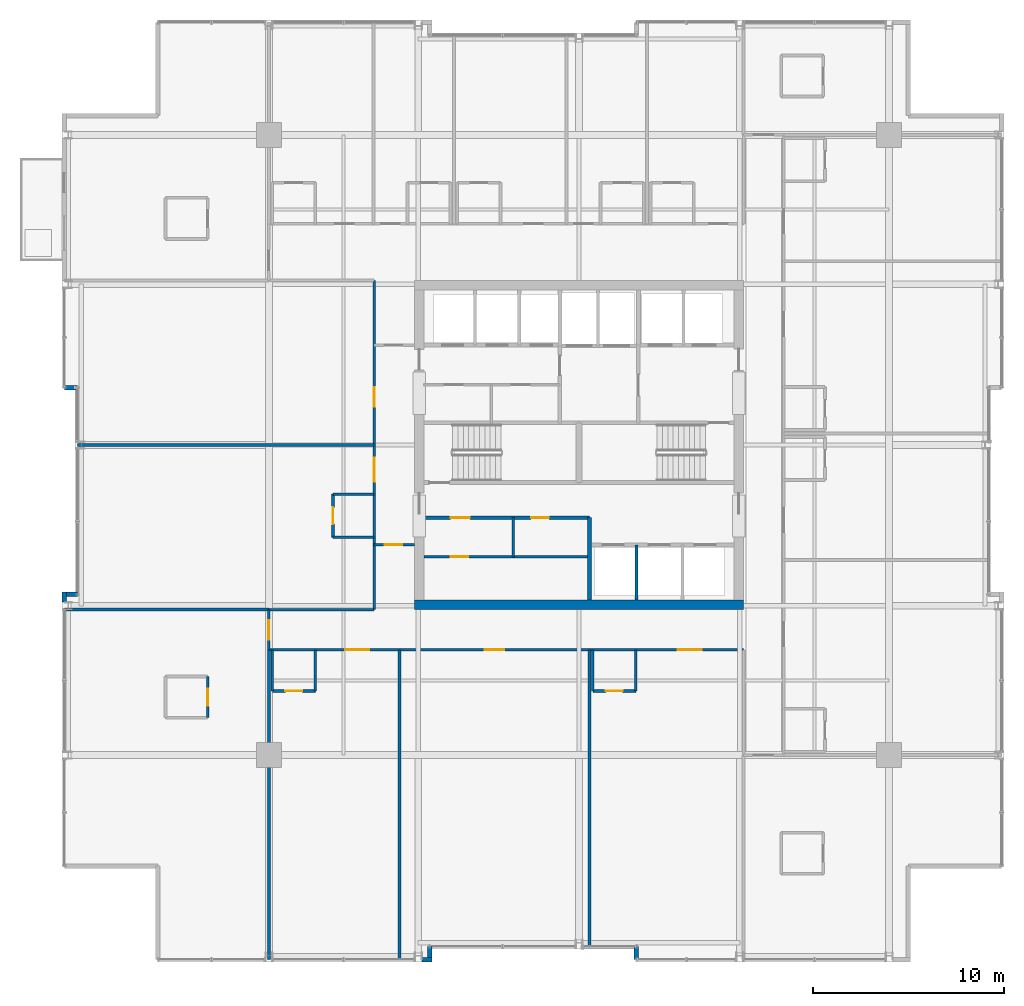
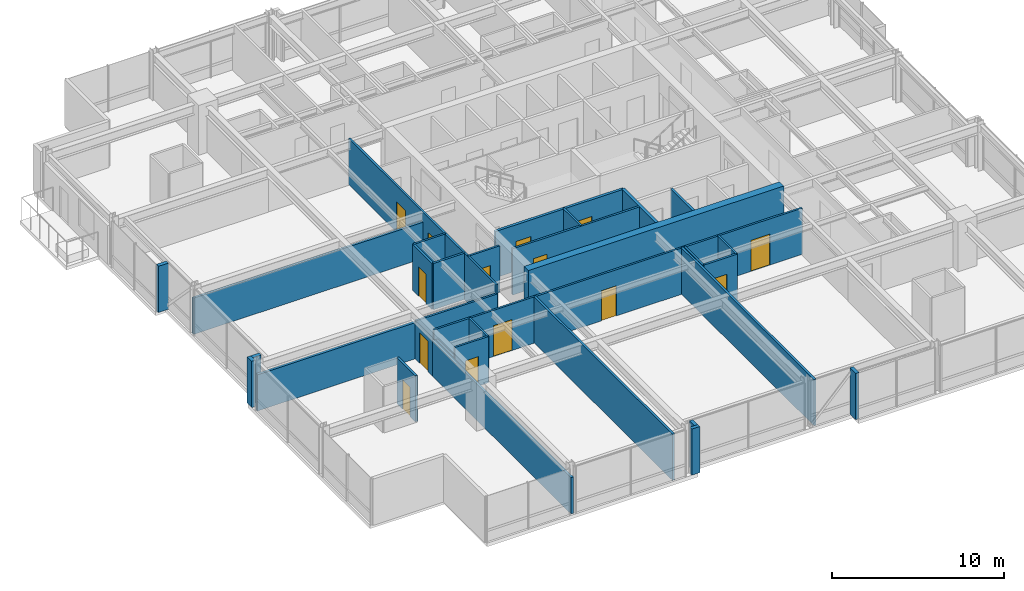
# One storey, part 25 of 32: 32 walls, 14 doors, 14 openings.
"""IFC4 building model written with IfcOpenShell, lengths in metres."""

from ifc_helpers import new_model, si_unit, direction, frame, frame_2d, origin, place, context, subcontext, project, spatial, rectangle, extrude, material, layer, layer_set, type_object, element, fill, save


model = new_model("IFC4")

# Units and contexts
model_context = context("Model", 3, precision=1e-05, world=origin(), true_north=direction((0.0, 1.0)))
body_context = subcontext(model_context, "Body", "Model", "MODEL_VIEW")
ifc_project = project(units=[si_unit("LENGTHUNIT", "METRE"), si_unit("AREAUNIT", "SQUARE_METRE"), si_unit("VOLUMEUNIT", "CUBIC_METRE"), si_unit("PLANEANGLEUNIT", "RADIAN"), si_unit("MASSUNIT", "GRAM", prefix="KILO")], contexts=[model_context])

# Site, building, storey
site_placement = place(None, origin())
site = spatial("IfcSite", under=ifc_project, at=site_placement, CompositionType="ELEMENT")
building_placement = place(site_placement, origin())
building = spatial("IfcBuilding", under=site, at=building_placement, Name="Drelvath Grand Hotel", CompositionType="ELEMENT")
storey_placement = place(building_placement, frame((0.0, 0.0, 182.35009765625)))
storey = spatial("IfcBuildingStorey", under=building, at=storey_placement, Name="L47", CompositionType="ELEMENT", Elevation=182.35009765625)

# Walls
ifc_material_1 = material(Name="Concrete C40/50", Category="concrete")
ifc_layer_1 = layer(ifc_material_1, 0.199951171875)
ifc_layer_set_1 = layer_set([ifc_layer_1], Name="Concrete C40/50")
wall_type_1 = type_object("IfcWallType", Name="Core Hoistway Fire Wall 200", PredefinedType="SOLIDWALL", material=ifc_layer_set_1)
wall_1_placement = place(storey_placement, frame((0.550048828125, 18.89990234375, 0.0), z_axis=(0.0, 0.0, 1.0), x_axis=(0.0, 1.0, 0.0)))
element("IfcWall", 1, at=wall_1_placement, inside=storey, type_object=wall_type_1, Name="L47 Bank 2 West Wall", PredefinedType="SOLIDWALL", context=body_context, shape_type="SweptSolid", body=[
    extrude(rectangle(XDim=4.300048828125, YDim=0.199951171875, at=frame_2d((2.14990234375, 0.0))), origin(), (0.0, 0.0, 1.0), 3.289794921875),
])
ifc_material_2 = material(Name="Gypsum Fireboard Partition")
ifc_layer_2 = layer(ifc_material_2, 0.1650390625)
ifc_layer_set_2 = layer_set([ifc_layer_2], Name="Gypsum Fireboard Partition")
wall_type_2 = type_object("IfcWallType", Name="Core Shaft Partition 165", PredefinedType="PARTITIONING", material=ifc_layer_set_2)
wall_2_placement = place(storey_placement, frame((3.0, 18.89990234375, 0.0), z_axis=(0.0, 0.0, 1.0), x_axis=(0.0, 1.0, 0.0)))
element("IfcWall", 2, at=wall_2_placement, inside=storey, type_object=wall_type_2, Name="L47 Lift PE-4/5 Divider", PredefinedType="PARTITIONING", context=body_context, shape_type="SweptSolid", body=[
    extrude(rectangle(XDim=2.880126953125, YDim=0.1650390625, at=frame_2d((1.43994140625, 0.0))), origin(), (0.0, 0.0, 1.0), 3.289794921875),
])

# Wall, opening, door
ifc_layer_3 = layer(ifc_material_2, 0.135009765625)
ifc_layer_set_3 = layer_set([ifc_layer_3], Name="Gypsum Fireboard Partition")
wall_type_3 = type_object("IfcWallType", Name="Corridor Fire Barrier Wall 135", PredefinedType="PARTITIONING", material=ifc_layer_set_3)
wall_3_placement = place(storey_placement, frame((-10.699951171875, 21.800048828125, 0.0), z_axis=(0.0, 0.0, 1.0), x_axis=(1.0, 0.0, 0.0)))
wall_3 = element("IfcWall", 3, at=wall_3_placement, inside=storey, type_object=wall_type_3, Name="L47 West Foyer South Wall", PredefinedType="PARTITIONING", context=body_context, shape_type="SweptSolid", body=[
    extrude(rectangle(XDim=2.099853515625, YDim=0.135009765625, at=frame_2d((1.0498046875, 0.0))), origin(), (0.0, 0.0, 1.0), 3.289794921875),
])
opening_1_placement = place(wall_3_placement, frame((0.550048828125, 0.0, 0.0)))
opening_1 = element("IfcOpeningElement", 4, at=opening_1_placement, cuts=wall_3, Name="Opening D-T3G4-024", PredefinedType="OPENING", context=body_context, shape_type="SweptSolid", body=[
    extrude(rectangle(XDim=0.919921875, YDim=2.10009765625, at=frame_2d((0.4599609375, 1.050048828125))), frame((0.0, 0.077392578125, 0.0), z_axis=(0.0, -1.0, 0.0), x_axis=(1.0, 0.0, 0.0)), (0.0, 0.0, 1.0), 0.155029296875),
])
ifc_material_3 = material(Name="Painted Steel S275", Category="steel")
door_type_1 = type_object("IfcDoorType", Name="Staff Utility Door 920x2100", OperationType="NOTDEFINED", PredefinedType="DOOR", material=ifc_material_3)
door_1_placement = place(opening_1_placement, origin())
door_1 = element("IfcDoor", 5, at=door_1_placement, inside=storey, type_object=door_type_1, Name="L47 West Linen Closet Door", OperationType="SINGLE_SWING_RIGHT", OverallHeight=2.10009765625, OverallWidth=0.919921875, PredefinedType="DOOR", context=body_context, shape_type="SweptSolid", body=[
    extrude(rectangle(XDim=0.919921875, YDim=2.10009765625, at=frame_2d((0.4599609375, 1.050048828125))), frame((0.0, 0.02490234375, 0.0), z_axis=(0.0, -1.0, 0.0), x_axis=(1.0, 0.0, 0.0)), (0.0, 0.0, 1.0), 0.050048828125),
])
fill(opening_1, door_1)

# Wall
wall_4_placement = place(storey_placement, frame((-16.199951171875, 18.39990234375, 0.0), z_axis=(0.0, 0.0, 1.0), x_axis=(1.0, 0.0, 0.0)))
element("IfcWall", 6, at=wall_4_placement, inside=storey, type_object=wall_type_3, Name="L47 SW Stub North Wall", PredefinedType="PARTITIONING", context=body_context, shape_type="SweptSolid", body=[
    extrude(rectangle(XDim=5.5, YDim=0.135009765625, at=frame_2d((2.75, 0.0))), origin(), (0.0, 0.0, 1.0), 2.667236328125),
])

# Wall, openings, doors
wall_5_placement = place(storey_placement, frame((-16.199951171875, 16.300048828125, 0.0), z_axis=(0.0, 0.0, 1.0), x_axis=(1.0, 0.0, 0.0)))
wall_5 = element("IfcWall", 7, at=wall_5_placement, inside=storey, type_object=wall_type_3, Name="L47 South Stub Corridor Wall", PredefinedType="PARTITIONING", context=body_context, shape_type="SweptSolid", body=[
    extrude(rectangle(XDim=24.800048828125, YDim=0.135009765625, at=frame_2d((12.39990234375, 0.0))), origin(), (0.0, 0.0, 1.0), 3.289794921875),
])
opening_2_placement = place(wall_5_placement, frame((3.9951171875, 0.0, 0.0)))
opening_2 = element("IfcOpeningElement", 8, at=opening_2_placement, cuts=wall_5, Name="Opening D-T3G4-035", PredefinedType="OPENING", context=body_context, shape_type="SweptSolid", body=[
    extrude(rectangle(XDim=1.260009765625, YDim=2.199951171875, at=frame_2d((0.6298828125, 1.10009765625))), frame((0.0, 0.077392578125, 0.0), z_axis=(0.0, -1.0, 0.0), x_axis=(1.0, 0.0, 0.0)), (0.0, 0.0, 1.0), 0.155029296875),
])
opening_3_placement = place(wall_5_placement, frame((11.27001953125, 0.0, 0.0)))
opening_3 = element("IfcOpeningElement", 9, at=opening_3_placement, cuts=wall_5, Name="Opening D-T3G4-036", PredefinedType="OPENING", context=body_context, shape_type="SweptSolid", body=[
    extrude(rectangle(XDim=1.02001953125, YDim=2.14990234375, at=frame_2d((0.510009765625, 1.074951171875))), frame((0.0, 0.077392578125, 0.0), z_axis=(0.0, -1.0, 0.0), x_axis=(1.0, 0.0, 0.0)), (0.0, 0.0, 1.0), 0.155029296875),
])
opening_4_placement = place(wall_5_placement, frame((21.35498046875, 0.0, 0.0)))
opening_4 = element("IfcOpeningElement", 10, at=opening_4_placement, cuts=wall_5, Name="Opening D-T3G4-038", PredefinedType="OPENING", context=body_context, shape_type="SweptSolid", body=[
    extrude(rectangle(XDim=1.260009765625, YDim=2.199951171875, at=frame_2d((0.6298828125, 1.10009765625))), frame((0.0, 0.077392578125, 0.0), z_axis=(0.0, -1.0, 0.0), x_axis=(1.0, 0.0, 0.0)), (0.0, 0.0, 1.0), 0.155029296875),
])
ifc_material_4 = material(Name="Hardwood Walnut Timber", Category="wood")
door_type_2 = type_object("IfcDoorType", Name="Amenity Meeting Fire Door 1020x2150", OperationType="NOTDEFINED", PredefinedType="DOOR", material=ifc_material_4)
door_2_placement = place(opening_3_placement, origin())
door_2 = element("IfcDoor", 11, at=door_2_placement, inside=storey, type_object=door_type_2, Name="L47 Conference Room Entry Door", OperationType="SINGLE_SWING_RIGHT", OverallHeight=2.14990234375, OverallWidth=1.02001953125, PredefinedType="DOOR", context=body_context, shape_type="SweptSolid", body=[
    extrude(rectangle(XDim=1.02001953125, YDim=2.14990234375, at=frame_2d((0.510009765625, 1.074951171875))), frame((0.0, 0.02490234375, 0.0), z_axis=(0.0, -1.0, 0.0), x_axis=(1.0, 0.0, 0.0)), (0.0, 0.0, 1.0), 0.050048828125),
])
fill(opening_3, door_2)
door_type_3 = type_object("IfcDoorType", Name="Suite Entrance Fire Door 1260x2200", OperationType="NOTDEFINED", PredefinedType="DOOR", material=ifc_material_4)
door_3_placement = place(opening_2_placement, origin())
door_3 = element("IfcDoor", 12, at=door_3_placement, inside=storey, type_object=door_type_3, Name="L47 Executive Suite Entry Door", OperationType="SINGLE_SWING_LEFT", OverallHeight=2.199951171875, OverallWidth=1.260009765625, PredefinedType="DOOR", context=body_context, shape_type="SweptSolid", body=[
    extrude(rectangle(XDim=1.260009765625, YDim=2.199951171875, at=frame_2d((0.6298828125, 1.10009765625))), frame((0.0, 0.02490234375, 0.0), z_axis=(0.0, -1.0, 0.0), x_axis=(1.0, 0.0, 0.0)), (0.0, 0.0, 1.0), 0.050048828125),
])
fill(opening_2, door_3)
door_4_placement = place(opening_4_placement, origin())
door_4 = element("IfcDoor", 13, at=door_4_placement, inside=storey, type_object=door_type_3, Name="L47 Executive Suite Entry Door", OperationType="SINGLE_SWING_RIGHT", OverallHeight=2.199951171875, OverallWidth=1.260009765625, PredefinedType="DOOR", context=body_context, shape_type="SweptSolid", body=[
    extrude(rectangle(XDim=1.260009765625, YDim=2.199951171875, at=frame_2d((0.6298828125, 1.10009765625))), frame((0.0, 0.02490234375, 0.0), z_axis=(0.0, -1.0, 0.0), x_axis=(1.0, 0.0, 0.0)), (0.0, 0.0, 1.0), 0.050048828125),
])
fill(opening_4, door_4)

wall_6_placement = place(storey_placement, frame((-10.699951171875, 18.39990234375, 0.0), z_axis=(0.0, 0.0, 1.0), x_axis=(0.0, 1.0, 0.0)))
wall_6 = element("IfcWall", 14, at=wall_6_placement, inside=storey, type_object=wall_type_3, Name="L47 West Spine Wall", PredefinedType="PARTITIONING", context=body_context, shape_type="SweptSolid", body=[
    extrude(rectangle(XDim=17.2001953125, YDim=0.135009765625, at=frame_2d((8.60009765625, 0.0))), origin(), (0.0, 0.0, 1.0), 3.289794921875),
])
opening_5_placement = place(wall_6_placement, frame((6.68505859375, 0.0, 0.0)))
opening_5 = element("IfcOpeningElement", 15, at=opening_5_placement, cuts=wall_6, Name="Opening D-T3G4-058", PredefinedType="OPENING", context=body_context, shape_type="SweptSolid", body=[
    extrude(rectangle(XDim=1.260009765625, YDim=2.199951171875, at=frame_2d((0.6298828125, 1.10009765625))), frame((0.0, 0.077392578125, 0.0), z_axis=(0.0, -1.0, 0.0), x_axis=(1.0, 0.0, 0.0)), (0.0, 0.0, 1.0), 0.155029296875),
])
opening_6_placement = place(wall_6_placement, frame((10.590087890625, 0.0, 0.0)))
opening_6 = element("IfcOpeningElement", 16, at=opening_6_placement, cuts=wall_6, Name="Opening D-T3G4-059", PredefinedType="OPENING", context=body_context, shape_type="SweptSolid", body=[
    extrude(rectangle(XDim=1.02001953125, YDim=2.14990234375, at=frame_2d((0.510009765625, 1.074951171875))), frame((0.0, 0.077392578125, 0.0), z_axis=(0.0, -1.0, 0.0), x_axis=(1.0, 0.0, 0.0)), (0.0, 0.0, 1.0), 0.155029296875),
])
door_5_placement = place(opening_6_placement, origin())
door_5 = element("IfcDoor", 17, at=door_5_placement, inside=storey, type_object=door_type_2, Name="L47 Fitness Movement Studio Entry Door", OperationType="SINGLE_SWING_LEFT", OverallHeight=2.14990234375, OverallWidth=1.02001953125, PredefinedType="DOOR", context=body_context, shape_type="SweptSolid", body=[
    extrude(rectangle(XDim=1.02001953125, YDim=2.14990234375, at=frame_2d((0.510009765625, 1.074951171875))), frame((0.0, 0.02490234375, 0.0), z_axis=(0.0, -1.0, 0.0), x_axis=(1.0, 0.0, 0.0)), (0.0, 0.0, 1.0), 0.050048828125),
])
fill(opening_6, door_5)
door_6_placement = place(opening_5_placement, origin())
door_6 = element("IfcDoor", 18, at=door_6_placement, inside=storey, type_object=door_type_3, Name="L47 Executive Suite Entry Door", OperationType="SINGLE_SWING_RIGHT", OverallHeight=2.199951171875, OverallWidth=1.260009765625, PredefinedType="DOOR", context=body_context, shape_type="SweptSolid", body=[
    extrude(rectangle(XDim=1.260009765625, YDim=2.199951171875, at=frame_2d((0.6298828125, 1.10009765625))), frame((0.0, 0.02490234375, 0.0), z_axis=(0.0, -1.0, 0.0), x_axis=(1.0, 0.0, 0.0)), (0.0, 0.0, 1.0), 0.050048828125),
])
fill(opening_5, door_6)

# Wall, opening, door
wall_7_placement = place(storey_placement, frame((-16.199951171875, 16.300048828125, 0.0), z_axis=(0.0, 0.0, 1.0), x_axis=(0.0, 1.0, 0.0)))
wall_7 = element("IfcWall", 19, at=wall_7_placement, inside=storey, type_object=wall_type_3, Name="L47 South Stub West End", PredefinedType="PARTITIONING", context=body_context, shape_type="SweptSolid", body=[
    extrude(rectangle(XDim=2.099853515625, YDim=0.135009765625, at=frame_2d((1.0498046875, 0.0))), origin(), (0.0, 0.0, 1.0), 2.579345703125),
])
opening_7_placement = place(wall_7_placement, frame((0.52001953125, 0.0, 0.0)))
opening_7 = element("IfcOpeningElement", 20, at=opening_7_placement, cuts=wall_7, Name="Opening D-T3G4-027", PredefinedType="OPENING", context=body_context, shape_type="SweptSolid", body=[
    extrude(rectangle(XDim=1.02001953125, YDim=2.14990234375, at=frame_2d((0.510009765625, 1.074951171875))), frame((0.0, 0.077392578125, 0.0), z_axis=(0.0, -1.0, 0.0), x_axis=(1.0, 0.0, 0.0)), (0.0, 0.0, 1.0), 0.155029296875),
])
door_7_placement = place(opening_7_placement, origin())
door_7 = element("IfcDoor", 21, at=door_7_placement, inside=storey, type_object=door_type_2, Name="L47 Executive Suite Entry Door", OperationType="SINGLE_SWING_LEFT", OverallHeight=2.14990234375, OverallWidth=1.02001953125, PredefinedType="DOOR", context=body_context, shape_type="SweptSolid", body=[
    extrude(rectangle(XDim=1.02001953125, YDim=2.14990234375, at=frame_2d((0.510009765625, 1.074951171875))), frame((0.0, 0.02490234375, 0.0), z_axis=(0.0, -1.0, 0.0), x_axis=(1.0, 0.0, 0.0)), (0.0, 0.0, 1.0), 0.050048828125),
])
fill(opening_7, door_7)

ifc_material_5 = material(Name="Moisture-Resistant Gypsum Board")
ifc_layer_4 = layer(ifc_material_5, 0.139892578125)
ifc_layer_set_4 = layer_set([ifc_layer_4], Name="Moisture-Resistant Gypsum Board")
wall_type_4 = type_object("IfcWallType", Name="En-Suite Plumbing Wall 140", PredefinedType="PLUMBINGWALL", material=ifc_layer_set_4)
wall_8_placement = place(storey_placement, frame((-8.10009765625, 21.159912109375, 0.0), z_axis=(0.0, 0.0, 1.0), x_axis=(1.0, 0.0, 0.0)))
wall_8 = element("IfcWall", 22, at=wall_8_placement, inside=storey, type_object=wall_type_4, Name="L47 Reclaimed Horizontal Wall", PredefinedType="PLUMBINGWALL", context=body_context, shape_type="SweptSolid", body=[
    extrude(rectangle(XDim=8.650146484375, YDim=0.139892578125, at=frame_2d((4.3251953125, 0.0))), origin(), (0.0, 0.0, 1.0), 3.289794921875),
])
opening_8_placement = place(wall_8_placement, frame((1.39990234375, 0.0, 0.0)))
opening_8 = element("IfcOpeningElement", 23, at=opening_8_placement, cuts=wall_8, Name="Opening D-T3G4-023", PredefinedType="OPENING", context=body_context, shape_type="SweptSolid", body=[
    extrude(rectangle(XDim=0.919921875, YDim=2.10009765625, at=frame_2d((0.4599609375, 1.050048828125))), frame((0.0, 0.079833984375, 0.0), z_axis=(0.0, -1.0, 0.0), x_axis=(1.0, 0.0, 0.0)), (0.0, 0.0, 1.0), 0.159912109375),
])
door_8_placement = place(opening_8_placement, origin())
door_8 = element("IfcDoor", 24, at=door_8_placement, inside=storey, type_object=door_type_1, Name="L47 Housekeeping Inner Door", OperationType="SINGLE_SWING_LEFT", OverallHeight=2.10009765625, OverallWidth=0.919921875, PredefinedType="DOOR", context=body_context, shape_type="SweptSolid", body=[
    extrude(rectangle(XDim=0.919921875, YDim=2.10009765625, at=frame_2d((0.4599609375, 1.050048828125))), frame((0.0, 0.02490234375, 0.0), z_axis=(0.0, -1.0, 0.0), x_axis=(1.0, 0.0, 0.0)), (0.0, 0.0, 1.0), 0.050048828125),
])
fill(opening_8, door_8)

# Wall
wall_9_placement = place(storey_placement, frame((-3.43994140625, 21.159912109375, 0.0), z_axis=(0.0, 0.0, 1.0), x_axis=(0.0, 1.0, 0.0)))
element("IfcWall", 25, at=wall_9_placement, inside=storey, type_object=wall_type_4, Name="L47 Staff WC Wall", PredefinedType="PLUMBINGWALL", context=body_context, shape_type="SweptSolid", body=[
    extrude(rectangle(XDim=2.0400390625, YDim=0.139892578125, at=frame_2d((1.02001953125, 0.0))), origin(), (0.0, 0.0, 1.0), 3.289794921875),
])

# Wall, opening, door
wall_10_placement = place(storey_placement, frame((-19.39990234375, 12.760009765625, 0.0), z_axis=(0.0, 0.0, 1.0), x_axis=(0.0, 1.0, 0.0)))
wall_10 = element("IfcWall", 26, at=wall_10_placement, inside=storey, type_object=wall_type_4, Name="L47 Corner En-Suite East", PredefinedType="PLUMBINGWALL", context=body_context, shape_type="SweptSolid", body=[
    extrude(rectangle(XDim=2.14990234375, YDim=0.139892578125, at=frame_2d((1.074951171875, 0.0))), origin(), (0.0, 0.0, 1.0), 3.289794921875),
])
opening_9_placement = place(wall_10_placement, frame((0.6201171875, 0.0, 0.0)))
opening_9 = element("IfcOpeningElement", 27, at=opening_9_placement, cuts=wall_10, Name="Opening D-T3G4-026", PredefinedType="OPENING", context=body_context, shape_type="SweptSolid", body=[
    extrude(rectangle(XDim=0.8798828125, YDim=2.10009765625, at=frame_2d((0.43994140625, 1.050048828125))), frame((0.0, 0.079833984375, 0.0), z_axis=(0.0, -1.0, 0.0), x_axis=(1.0, 0.0, 0.0)), (0.0, 0.0, 1.0), 0.159912109375),
])
door_type_4 = type_object("IfcDoorType", Name="En-Suite Bathroom Door 880x2100", OperationType="NOTDEFINED", PredefinedType="DOOR", material=ifc_material_4)
door_9_placement = place(opening_9_placement, origin())
door_9 = element("IfcDoor", 28, at=door_9_placement, inside=storey, type_object=door_type_4, Name="L47 Corner En-Suite Door", OperationType="SINGLE_SWING_RIGHT", OverallHeight=2.10009765625, OverallWidth=0.8798828125, PredefinedType="DOOR", context=body_context, shape_type="SweptSolid", body=[
    extrude(rectangle(XDim=0.8798828125, YDim=2.10009765625, at=frame_2d((0.43994140625, 1.050048828125))), frame((0.0, 0.02490234375, 0.0), z_axis=(0.0, -1.0, 0.0), x_axis=(1.0, 0.0, 0.0)), (0.0, 0.0, 1.0), 0.050048828125),
])
fill(opening_9, door_9)

# Walls
wall_11_placement = place(storey_placement, frame((-16.02001953125, 16.300048828125, 0.0), z_axis=(0.0, 0.0, 1.0), x_axis=(0.0, -1.0, 0.0)))
element("IfcWall", 29, at=wall_11_placement, inside=storey, type_object=wall_type_4, Name="L47 En-Suite Left Wall", PredefinedType="PLUMBINGWALL", context=body_context, shape_type="SweptSolid", body=[
    extrude(rectangle(XDim=2.150146484375, YDim=0.139892578125, at=frame_2d((1.0751953125, 0.0))), origin(), (0.0, 0.0, 1.0), 2.579345703125),
])
wall_12_placement = place(storey_placement, frame((-13.77001953125, 16.300048828125, 0.0), z_axis=(0.0, 0.0, 1.0), x_axis=(0.0, -1.0, 0.0)))
element("IfcWall", 30, at=wall_12_placement, inside=storey, type_object=wall_type_4, Name="L47 En-Suite Right Wall", PredefinedType="PLUMBINGWALL", context=body_context, shape_type="SweptSolid", body=[
    extrude(rectangle(XDim=2.150146484375, YDim=0.139892578125, at=frame_2d((1.0751953125, 0.0))), origin(), (0.0, 0.0, 1.0), 3.289794921875),
])

# Wall, opening, door
wall_13_placement = place(storey_placement, frame((-16.02001953125, 14.14990234375, 0.0), z_axis=(0.0, 0.0, 1.0), x_axis=(1.0, 0.0, 0.0)))
wall_13 = element("IfcWall", 31, at=wall_13_placement, inside=storey, type_object=wall_type_4, Name="L47 En-Suite Front Wall", PredefinedType="PLUMBINGWALL", context=body_context, shape_type="SweptSolid", body=[
    extrude(rectangle(XDim=2.25, YDim=0.139892578125, at=frame_2d((1.125, 0.0))), origin(), (0.0, 0.0, 1.0), 3.289794921875),
])
opening_10_placement = place(wall_13_placement, frame((0.68505859375, 0.0, 0.0)))
opening_10 = element("IfcOpeningElement", 32, at=opening_10_placement, cuts=wall_13, Name="Opening D-T3G4-034", PredefinedType="OPENING", context=body_context, shape_type="SweptSolid", body=[
    extrude(rectangle(XDim=0.8798828125, YDim=2.10009765625, at=frame_2d((0.43994140625, 1.050048828125))), frame((0.0, 0.079833984375, 0.0), z_axis=(0.0, -1.0, 0.0), x_axis=(1.0, 0.0, 0.0)), (0.0, 0.0, 1.0), 0.159912109375),
])
door_10_placement = place(opening_10_placement, origin())
door_10 = element("IfcDoor", 33, at=door_10_placement, inside=storey, type_object=door_type_4, Name="L47 En-Suite Bathroom Door", OperationType="SINGLE_SWING_RIGHT", OverallHeight=2.10009765625, OverallWidth=0.8798828125, PredefinedType="DOOR", context=body_context, shape_type="SweptSolid", body=[
    extrude(rectangle(XDim=0.8798828125, YDim=2.10009765625, at=frame_2d((0.43994140625, 1.050048828125))), frame((0.0, 0.02490234375, 0.0), z_axis=(0.0, -1.0, 0.0), x_axis=(1.0, 0.0, 0.0)), (0.0, 0.0, 1.0), 0.050048828125),
])
fill(opening_10, door_10)

# Walls
for number, where, z_axis, x_axis, name in (
    (34, (0.719970703125, 16.300048828125, 0.0), (0.0, 0.0, 1.0), (0.0, -1.0, 0.0), "L47 En-Suite Left Wall"),
    (35, (2.969970703125, 16.300048828125, 0.0), (0.0, 0.0, 1.0), (0.0, -1.0, 0.0), "L47 En-Suite Right Wall"),
):
    element("IfcWall", number, at=place(storey_placement, frame(where, z_axis=z_axis, x_axis=x_axis)), inside=storey, type_object=wall_type_4, Name=name, PredefinedType="PLUMBINGWALL", context=body_context, shape_type="SweptSolid", body=[
        extrude(rectangle(XDim=2.150146484375, YDim=0.139892578125, at=frame_2d((1.0751953125, 0.0))), origin(), (0.0, 0.0, 1.0), 3.289794921875),
    ])

# Wall, opening, door
wall_14_placement = place(storey_placement, frame((0.719970703125, 14.14990234375, 0.0), z_axis=(0.0, 0.0, 1.0), x_axis=(1.0, 0.0, 0.0)))
wall_14 = element("IfcWall", 36, at=wall_14_placement, inside=storey, type_object=wall_type_4, Name="L47 En-Suite Front Wall", PredefinedType="PLUMBINGWALL", context=body_context, shape_type="SweptSolid", body=[
    extrude(rectangle(XDim=2.25, YDim=0.139892578125, at=frame_2d((1.125, 0.0))), origin(), (0.0, 0.0, 1.0), 3.289794921875),
])
opening_11_placement = place(wall_14_placement, frame((0.68505859375, 0.0, 0.0)))
opening_11 = element("IfcOpeningElement", 37, at=opening_11_placement, cuts=wall_14, Name="Opening D-T3G4-037", PredefinedType="OPENING", context=body_context, shape_type="SweptSolid", body=[
    extrude(rectangle(XDim=0.8798828125, YDim=2.10009765625, at=frame_2d((0.43994140625, 1.050048828125))), frame((0.0, 0.079833984375, 0.0), z_axis=(0.0, -1.0, 0.0), x_axis=(1.0, 0.0, 0.0)), (0.0, 0.0, 1.0), 0.159912109375),
])
door_11_placement = place(opening_11_placement, origin())
door_11 = element("IfcDoor", 38, at=door_11_placement, inside=storey, type_object=door_type_4, Name="L47 En-Suite Bathroom Door", OperationType="SINGLE_SWING_LEFT", OverallHeight=2.10009765625, OverallWidth=0.8798828125, PredefinedType="DOOR", context=body_context, shape_type="SweptSolid", body=[
    extrude(rectangle(XDim=0.8798828125, YDim=2.10009765625, at=frame_2d((0.43994140625, 1.050048828125))), frame((0.0, 0.02490234375, 0.0), z_axis=(0.0, -1.0, 0.0), x_axis=(1.0, 0.0, 0.0)), (0.0, 0.0, 1.0), 0.050048828125),
])
fill(opening_11, door_11)

# Walls
for number, where, z_axis, x_axis, name in (
    (39, (-10.699951171875, 22.179931640625, 0.0), (0.0, 0.0, 1.0), (-1.0, 0.0, 0.0), "L47 En-Suite Left Wall"),
    (40, (-10.699951171875, 24.429931640625, 0.0), (0.0, 0.0, 1.0), (-1.0, 0.0, 0.0), "L47 En-Suite Right Wall"),
):
    element("IfcWall", number, at=place(storey_placement, frame(where, z_axis=z_axis, x_axis=x_axis)), inside=storey, type_object=wall_type_4, Name=name, PredefinedType="PLUMBINGWALL", context=body_context, shape_type="SweptSolid", body=[
        extrude(rectangle(XDim=2.150146484375, YDim=0.139892578125, at=frame_2d((1.0751953125, 0.0))), origin(), (0.0, 0.0, 1.0), 3.289794921875),
    ])

# Wall, opening, door
wall_15_placement = place(storey_placement, frame((-12.85009765625, 22.179931640625, 0.0), z_axis=(0.0, 0.0, 1.0), x_axis=(0.0, 1.0, 0.0)))
wall_15 = element("IfcWall", 41, at=wall_15_placement, inside=storey, type_object=wall_type_4, Name="L47 En-Suite Front Wall", PredefinedType="PLUMBINGWALL", context=body_context, shape_type="SweptSolid", body=[
    extrude(rectangle(XDim=2.25, YDim=0.139892578125, at=frame_2d((1.125, 0.0))), origin(), (0.0, 0.0, 1.0), 3.289794921875),
])
opening_12_placement = place(wall_15_placement, frame((0.68505859375, 0.0, 0.0)))
opening_12 = element("IfcOpeningElement", 42, at=opening_12_placement, cuts=wall_15, Name="Opening D-T3G4-057", PredefinedType="OPENING", context=body_context, shape_type="SweptSolid", body=[
    extrude(rectangle(XDim=0.8798828125, YDim=2.10009765625, at=frame_2d((0.43994140625, 1.050048828125))), frame((0.0, 0.079833984375, 0.0), z_axis=(0.0, -1.0, 0.0), x_axis=(1.0, 0.0, 0.0)), (0.0, 0.0, 1.0), 0.159912109375),
])
door_12_placement = place(opening_12_placement, origin())
door_12 = element("IfcDoor", 43, at=door_12_placement, inside=storey, type_object=door_type_4, Name="L47 En-Suite Bathroom Door", OperationType="SINGLE_SWING_LEFT", OverallHeight=2.10009765625, OverallWidth=0.8798828125, PredefinedType="DOOR", context=body_context, shape_type="SweptSolid", body=[
    extrude(rectangle(XDim=0.8798828125, YDim=2.10009765625, at=frame_2d((0.43994140625, 1.050048828125))), frame((0.0, 0.02490234375, 0.0), z_axis=(0.0, -1.0, 0.0), x_axis=(1.0, 0.0, 0.0)), (0.0, 0.0, 1.0), 0.050048828125),
])
fill(opening_12, door_12)

# Wall, openings, doors
ifc_layer_5 = layer(ifc_material_2, 0.179931640625)
ifc_layer_set_5 = layer_set([ifc_layer_5], Name="Gypsum Fireboard Partition")
wall_type_5 = type_object("IfcWallType", Name="FSAE Smoke Lobby Fire Wall 180", PredefinedType="SOLIDWALL", material=ifc_layer_set_5)
wall_16_placement = place(storey_placement, frame((-8.10009765625, 23.199951171875, 0.0), z_axis=(0.0, 0.0, 1.0), x_axis=(1.0, 0.0, 0.0)))
wall_16 = element("IfcWall", 44, at=wall_16_placement, inside=storey, type_object=wall_type_5, Name="L47 Reclaimed Core Room Wall", PredefinedType="SOLIDWALL", context=body_context, shape_type="SweptSolid", body=[
    extrude(rectangle(XDim=8.650146484375, YDim=0.179931640625, at=frame_2d((4.3251953125, 0.0))), origin(), (0.0, 0.0, 1.0), 3.289794921875),
])
opening_13_placement = place(wall_16_placement, frame((1.39990234375, 0.0, 0.0)))
opening_13 = element("IfcOpeningElement", 45, at=opening_13_placement, cuts=wall_16, Name="Opening D-T3G4-021", PredefinedType="OPENING", context=body_context, shape_type="SweptSolid", body=[
    extrude(rectangle(XDim=1.0, YDim=2.10009765625, at=frame_2d((0.5, 1.050048828125))), frame((0.0, 0.099853515625, 0.0), z_axis=(0.0, -1.0, 0.0), x_axis=(1.0, 0.0, 0.0)), (0.0, 0.0, 1.0), 0.199951171875),
])
opening_14_placement = place(wall_16_placement, frame((5.60009765625, 0.0, 0.0)))
opening_14 = element("IfcOpeningElement", 46, at=opening_14_placement, cuts=wall_16, Name="Opening D-T3G4-022", PredefinedType="OPENING", context=body_context, shape_type="SweptSolid", body=[
    extrude(rectangle(XDim=0.919921875, YDim=2.10009765625, at=frame_2d((0.4599609375, 1.050048828125))), frame((0.0, 0.099853515625, 0.0), z_axis=(0.0, -1.0, 0.0), x_axis=(1.0, 0.0, 0.0)), (0.0, 0.0, 1.0), 0.199951171875),
])
door_type_5 = type_object("IfcDoorType", Name="Core Service Fire Door 1000x2100", OperationType="NOTDEFINED", PredefinedType="DOOR", material=ifc_material_3)
door_13_placement = place(opening_13_placement, origin())
door_13 = element("IfcDoor", 47, at=door_13_placement, inside=storey, type_object=door_type_5, Name="L47 Valet Room Door", OperationType="SINGLE_SWING_LEFT", OverallHeight=2.10009765625, OverallWidth=1.0, PredefinedType="DOOR", context=body_context, shape_type="SweptSolid", body=[
    extrude(rectangle(XDim=1.0, YDim=2.10009765625, at=frame_2d((0.5, 1.050048828125))), frame((0.0, 0.02490234375, 0.0), z_axis=(0.0, -1.0, 0.0), x_axis=(1.0, 0.0, 0.0)), (0.0, 0.0, 1.0), 0.050048828125),
])
fill(opening_13, door_13)
door_14_placement = place(opening_14_placement, origin())
door_14 = element("IfcDoor", 48, at=door_14_placement, inside=storey, type_object=door_type_5, Name="L47 Staff WC Door", OperationType="SINGLE_SWING_RIGHT", OverallHeight=2.10009765625, OverallWidth=0.919921875, PredefinedType="DOOR", context=body_context, shape_type="SweptSolid", body=[
    extrude(rectangle(XDim=0.919921875, YDim=2.10009765625, at=frame_2d((0.4599609375, 1.050048828125))), frame((0.0, 0.02490234375, 0.0), z_axis=(0.0, -1.0, 0.0), x_axis=(1.0, 0.0, 0.0)), (0.0, 0.0, 1.0), 0.050048828125),
])
fill(opening_14, door_14)

# Walls
ifc_material_6 = material(Name="Gypsum Acoustic Partition")
ifc_layer_6 = layer(ifc_material_6, 0.14990234375)
ifc_layer_set_6 = layer_set([ifc_layer_6], Name="Gypsum Acoustic Partition")
wall_type_6 = type_object("IfcWallType", Name="Guestroom Demising Wall 150", PredefinedType="PARTITIONING", material=ifc_layer_set_6)
wall_17_placement = place(storey_placement, frame((-9.3798828125, 0.1201171875, 0.0), z_axis=(0.0, 0.0, 1.0), x_axis=(0.0, 1.0, 0.0)))
element("IfcWall", 49, at=wall_17_placement, inside=storey, type_object=wall_type_6, Name="L47 South Demising 1", PredefinedType="PARTITIONING", context=body_context, shape_type="SweptSolid", body=[
    extrude(rectangle(XDim=16.179931640625, YDim=0.14990234375, at=frame_2d((8.08984375, 0.0))), origin(), (0.0, 0.0, 1.0), 3.289794921875),
])
wall_18_placement = place(storey_placement, frame((0.5400390625, 0.800048828125, 0.0), z_axis=(0.0, 0.0, 1.0), x_axis=(0.0, 1.0, 0.0)))
element("IfcWall", 50, at=wall_18_placement, inside=storey, type_object=wall_type_6, Name="L47 South Demising 2", PredefinedType="PARTITIONING", context=body_context, shape_type="SweptSolid", body=[
    extrude(rectangle(XDim=15.5, YDim=0.14990234375, at=frame_2d((7.75, 0.0))), origin(), (0.0, 0.0, 1.0), 3.289794921875),
])
wall_19_placement = place(storey_placement, frame((-26.199951171875, 27.0, 0.0), z_axis=(0.0, 0.0, 1.0), x_axis=(1.0, 0.0, 0.0)))
element("IfcWall", 51, at=wall_19_placement, inside=storey, type_object=wall_type_6, Name="L47 West Suite Demising Wall", PredefinedType="PARTITIONING", context=body_context, shape_type="SweptSolid", body=[
    extrude(rectangle(XDim=15.5, YDim=0.14990234375, at=frame_2d((7.75, 0.0))), origin(), (0.0, 0.0, 1.0), 2.579345703125),
])
ifc_layer_7 = layer(ifc_material_6, 0.1650390625)
ifc_layer_set_7 = layer_set([ifc_layer_7], Name="Gypsum Acoustic Partition")
wall_type_7 = type_object("IfcWallType", Name="Suite Demising Wall 165", PredefinedType="PARTITIONING", material=ifc_layer_set_7)
wall_20_placement = place(storey_placement, frame((-16.199951171875, 0.1201171875, 0.0), z_axis=(0.0, 0.0, 1.0), x_axis=(0.0, 1.0, 0.0)))
element("IfcWall", 52, at=wall_20_placement, inside=storey, type_object=wall_type_7, Name="L47 SW Suite East Wall", PredefinedType="PARTITIONING", context=body_context, shape_type="SweptSolid", body=[
    extrude(rectangle(XDim=16.179931640625, YDim=0.1650390625, at=frame_2d((8.08984375, 0.0))), origin(), (0.0, 0.0, 1.0), 2.579345703125),
])
wall_21_placement = place(storey_placement, frame((-26.8798828125, 18.39990234375, 0.0), z_axis=(0.0, 0.0, 1.0), x_axis=(1.0, 0.0, 0.0)))
element("IfcWall", 53, at=wall_21_placement, inside=storey, type_object=wall_type_7, Name="L47 SW Suite North Wall", PredefinedType="PARTITIONING", context=body_context, shape_type="SweptSolid", body=[
    extrude(rectangle(XDim=10.679931640625, YDim=0.1650390625, at=frame_2d((5.33984375, 0.0))), origin(), (0.0, 0.0, 1.0), 2.579345703125),
])
ifc_material_7 = material(Name="Pale-Metal Insulated Aluminium Spandrel Assembly", Category="aluminium")
ifc_layer_8 = layer(ifc_material_7, 0.239990234375)
ifc_layer_set_8 = layer_set([ifc_layer_8], Name="Pale-Metal Insulated Aluminium Spandrel Assembly")
wall_type_8 = type_object("IfcWallType", Name="Tower Insulated Metal Spandrel Closure Wall 240", PredefinedType="STANDARD", material=ifc_layer_set_8)
for number, where, z_axis, x_axis, name in (
    (54, (-26.8798828125, 18.791748046875, 0.0), (0.0, 0.0, 1.0), (0.0, 1.0, 0.0), "L47 Corner Pier Spandrel Wall WS3"),
    (55, (-7.679931640625, 0.1201171875, 0.0), (0.0, 0.0, 1.0), (-1.0, 0.0, 0.0), "L47 Corner Pier Spandrel Wall SW3"),
):
    element("IfcWall", number, at=place(storey_placement, frame(where, z_axis=z_axis, x_axis=x_axis)), inside=storey, type_object=wall_type_8, Name=name, PredefinedType="STANDARD", context=body_context, shape_type="SweptSolid", body=[
        extrude(rectangle(XDim=0.5283203125, YDim=0.239990234375, at=frame_2d((0.26416015625, 0.0))), origin(), (0.0, 0.0, 1.0), 3.289794921875),
    ])
wall_22_placement = place(storey_placement, frame((-26.760009765625, 19.199951171875, 0.0), z_axis=(0.0, 0.0, 1.0), x_axis=(1.0, 0.0, 0.0)))
element("IfcWall", 56, at=wall_22_placement, inside=storey, type_object=wall_type_8, Name="L47 Notched Corner Return Spandrel Wall RW1", PredefinedType="STANDARD", context=body_context, shape_type="SweptSolid", body=[
    extrude(rectangle(XDim=0.56005859375, YDim=0.239990234375, at=frame_2d((0.280029296875, 0.0))), origin(), (0.0, 0.0, 1.0), 3.289794921875),
])
for number, where, z_axis, x_axis, name in (
    (57, (-26.199951171875, 30.0, 0.0), (0.0, 0.0, 1.0), (-1.0, 0.0, 0.0), "L47 Notched Corner Return Spandrel Wall RW2"),
    (58, (3.0, 0.1201171875, 0.0), (0.0, 0.0, 1.0), (0.0, 1.0, 0.0), "L47 Notched Corner Return Spandrel Wall RS1"),
):
    element("IfcWall", number, at=place(storey_placement, frame(where, z_axis=z_axis, x_axis=x_axis)), inside=storey, type_object=wall_type_8, Name=name, PredefinedType="STANDARD", context=body_context, shape_type="SweptSolid", body=[
        extrude(rectangle(XDim=0.679931640625, YDim=0.239990234375, at=frame_2d((0.33984375, 0.0))), origin(), (0.0, 0.0, 1.0), 3.289794921875),
    ])
wall_23_placement = place(storey_placement, frame((-7.800048828125, 0.800048828125, 0.0), z_axis=(0.0, 0.0, 1.0), x_axis=(0.0, -1.0, 0.0)))
element("IfcWall", 59, at=wall_23_placement, inside=storey, type_object=wall_type_8, Name="L47 Notched Corner Return Spandrel Wall RS2", PredefinedType="STANDARD", context=body_context, shape_type="SweptSolid", body=[
    extrude(rectangle(XDim=0.56005859375, YDim=0.239990234375, at=frame_2d((0.280029296875, 0.0))), origin(), (0.0, 0.0, 1.0), 3.289794921875),
])
ifc_material_8 = material(Name="Concrete f'c 55 MPa", Category="concrete")
ifc_layer_9 = layer(ifc_material_8, 0.5)
ifc_layer_set_9 = layer_set([ifc_layer_9], Name="Concrete f'c 55 MPa")
wall_type_9 = type_object("IfcWallType", Name="Upper Core RC Shear Wall 500", PredefinedType="SHEAR", material=ifc_layer_set_9)
wall_24_placement = place(storey_placement, frame((8.60009765625, 18.64990234375, 0.0), z_axis=(0.0, 0.0, 1.0), x_axis=(-1.0, 0.0, 0.0)))
element("IfcWall", 60, at=wall_24_placement, inside=storey, type_object=wall_type_9, Name="L47 Central Core Shear Wall S", PredefinedType="SHEAR", context=body_context, shape_type="SweptSolid", body=[
    extrude(rectangle(XDim=17.2001953125, YDim=0.5, at=frame_2d((8.60009765625, 0.0))), origin(), (0.0, 0.0, 1.0), 3.5498046875),
])

save(model, "model.ifc")
